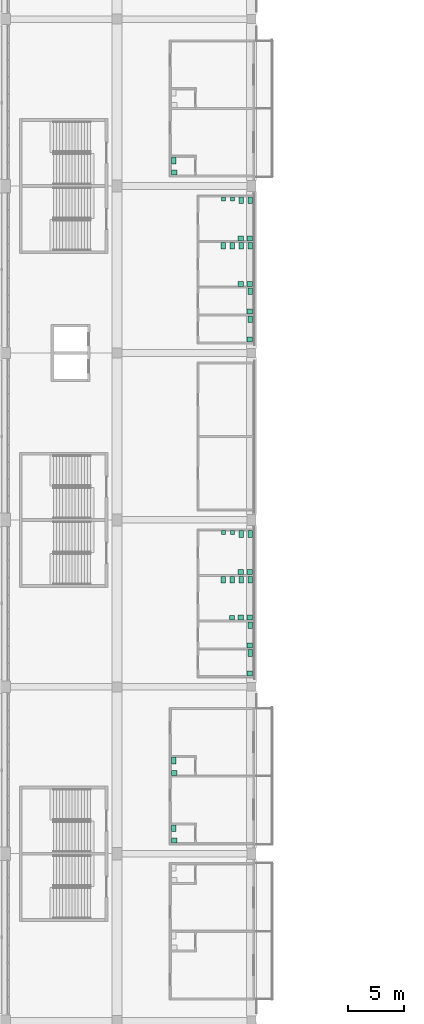
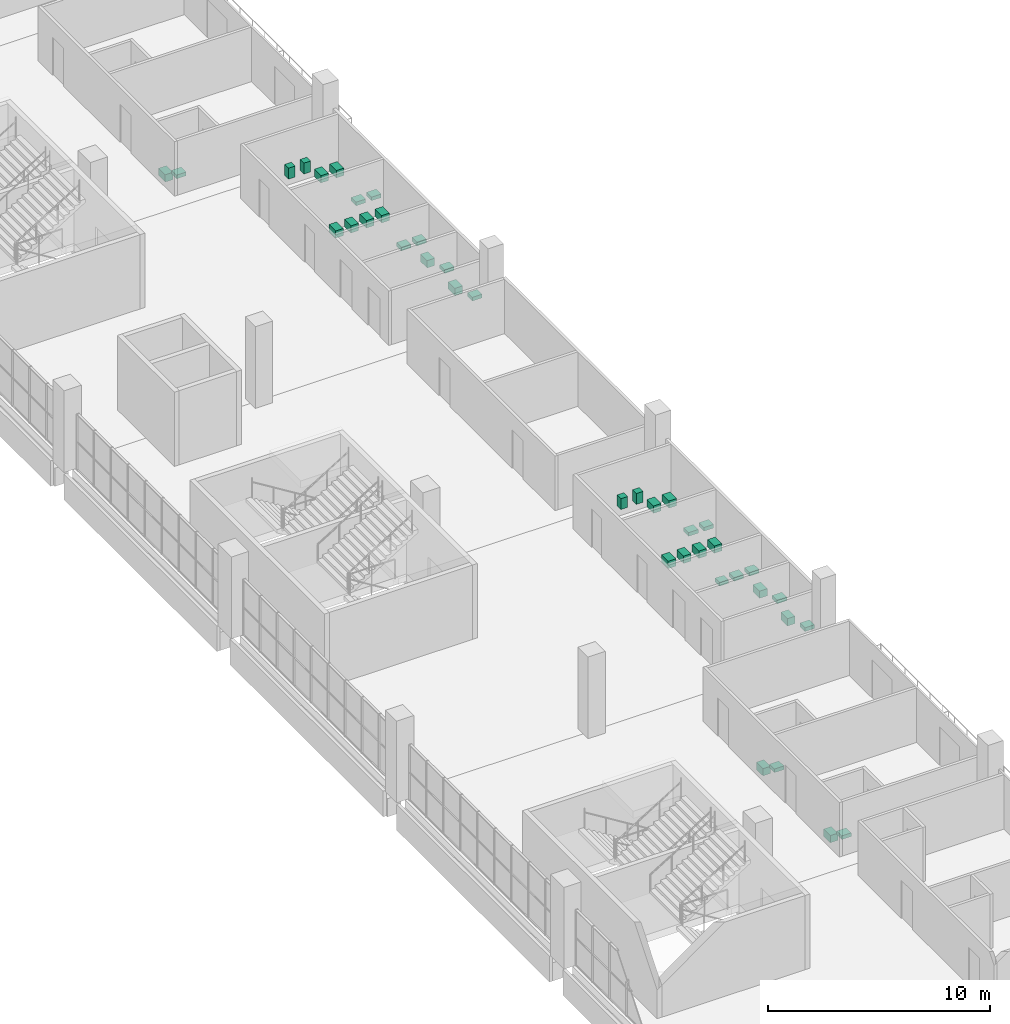
# One storey, part 196 of 199: 39 sanitary terminals.
"""IFC4 building model written with IfcOpenShell, lengths in metres."""

from ifc_helpers import new_model, si_unit, direction, frame, origin, origin_2d, place, context, subcontext, project, spatial, rectangle, extrude, material, type_object, element, save


model = new_model("IFC4")

# Units and contexts
model_context = context("Model", 3, precision=1e-05, world=origin(), true_north=direction((0.0, 1.0)))
body_context = subcontext(model_context, "Body", "Model", "MODEL_VIEW")
ifc_project = project(units=[si_unit("LENGTHUNIT", "METRE"), si_unit("AREAUNIT", "SQUARE_METRE"), si_unit("VOLUMEUNIT", "CUBIC_METRE"), si_unit("PLANEANGLEUNIT", "RADIAN"), si_unit("MASSUNIT", "GRAM", prefix="KILO")], contexts=[model_context])

# Site, building, storey
site_placement = place(None, origin())
site = spatial("IfcSite", under=ifc_project, at=site_placement, CompositionType="ELEMENT")
building_placement = place(site_placement, origin())
building = spatial("IfcBuilding", under=site, at=building_placement, Name="Ogive Plaza Stadium", CompositionType="ELEMENT")
storey_placement = place(building_placement, frame((0.0, 0.0, 9.0)))
storey = spatial("IfcBuildingStorey", under=building, at=storey_placement, Name="L02", CompositionType="ELEMENT", Elevation=9.0)

# Sanitary terminals
ifc_material_1 = material(Name="Vitreous china", Category="ceramic")
sanitary_terminal_type_1 = type_object("IfcSanitaryTerminalType", Name="Drinking fountain", PredefinedType="SANITARYFOUNTAIN", material=ifc_material_1)
sanitary_terminal_placement = place(storey_placement, frame((-63.64990234375, -16.30908203125, 0.7998046875), z_axis=(0.0, 0.0, 1.0), x_axis=(-1.0, 0.0, 0.0)))
element("IfcSanitaryTerminal", 1, at=sanitary_terminal_placement, inside=storey, type_object=sanitary_terminal_type_1, Name="Drinking fountain L02-088", PredefinedType="SANITARYFOUNTAIN", context=body_context, shape_type="SweptSolid", body=[
    extrude(rectangle(XDim=0.449951171875, YDim=0.39990234375, at=origin_2d()), origin(), (0.0, 0.0, 1.0), 0.199951171875),
])
ifc_material_2 = material(Name="Vitreous china", Category="ceramic")
sanitary_terminal_type_2 = type_object("IfcSanitaryTerminalType", Name="Lavatory", PredefinedType="WASHHANDBASIN", material=ifc_material_2)
for number, where, z_axis, x_axis, name in (
    (2, (-62.074951171875, -12.19189453125, 0.7998046875), (0.0, 0.0, 1.0), (-1.0, 0.0, 0.0), "Lavatory L02-087"),
    (3, (-62.875, -12.19189453125, 0.7998046875), (0.0, 0.0, 1.0), (-1.0, 0.0, 0.0), "Lavatory L02-087"),
    (4, (-62.074951171875, 17.80810546875, 0.7998046875), (0.0, 0.0, 1.0), (-1.0, 0.0, 0.0), "Lavatory L02-093"),
    (5, (-62.875, 17.80810546875, 0.7998046875), (0.0, 0.0, 1.0), (-1.0, 0.0, 0.0), "Lavatory L02-093"),
    (6, (-62.074951171875, -16.283935546875, 0.7998046875), (0.0, 0.0, 1.0), (-1.0, 0.0, 0.0), "Lavatory L02-088"),
    (7, (-62.875, -16.283935546875, 0.7998046875), (0.0, 0.0, 1.0), (-1.0, 0.0, 0.0), "Lavatory L02-088"),
    (8, (-62.074951171875, 13.716064453125, 0.7998046875), (0.0, 0.0, 1.0), (-1.0, 0.0, 0.0), "Lavatory L02-094"),
    (9, (-62.875, 13.716064453125, 0.7998046875), (0.0, 0.0, 1.0), (-1.0, 0.0, 0.0), "Lavatory L02-094"),
    (10, (-68.824951171875, -36.300048828125, 0.7998046875), (0.0, 0.0, 1.0), (1.0, 0.0, 0.0), "Lavatory L02-083"),
    (11, (-68.824951171875, -30.22509765625, 0.7998046875), (0.0, 0.0, 1.0), (1.0, 0.0, 0.0), "Lavatory L02-085"),
    (12, (-62.074951171875, -18.7919921875, 0.7998046875), (0.0, 0.0, 1.0), (-1.0, 0.0, 0.0), "Lavatory L02-089"),
    (13, (-62.074951171875, -21.300048828125, 0.7998046875), (0.0, 0.0, 1.0), (-1.0, 0.0, 0.0), "Lavatory L02-090"),
    (14, (-62.074951171875, 11.2080078125, 0.7998046875), (0.0, 0.0, 1.0), (-1.0, 0.0, 0.0), "Lavatory L02-095"),
    (15, (-62.074951171875, 8.699951171875, 0.7998046875), (0.0, 0.0, 1.0), (-1.0, 0.0, 0.0), "Lavatory L02-096"),
    (16, (-68.824951171875, 23.699951171875, 0.7998046875), (0.0, 0.0, 1.0), (1.0, 0.0, 0.0), "Lavatory L02-099"),
):
    element("IfcSanitaryTerminal", number, at=place(storey_placement, frame(where, z_axis=z_axis, x_axis=x_axis)), inside=storey, type_object=sanitary_terminal_type_2, Name=name, PredefinedType="WASHHANDBASIN", context=body_context, shape_type="SweptSolid", body=[
        extrude(rectangle(XDim=0.5, YDim=0.449951171875, at=origin_2d()), origin(), (0.0, 0.0, 1.0), 0.199951171875),
    ])
ifc_material_3 = material(Name="Vitreous china", Category="ceramic")
sanitary_terminal_type_3 = type_object("IfcSanitaryTerminalType", Name="Urinal", PredefinedType="URINAL", material=ifc_material_3)
for number, where, z_axis, x_axis, name in (
    (17, (-63.60009765625, -8.64990234375, 0.599853515625), (0.0, 0.0, 1.0), (-1.0, 0.0, 0.0), "Urinal L02-087"),
    (18, (-64.39990234375, -8.64990234375, 0.599853515625), (0.0, 0.0, 1.0), (-1.0, 0.0, 0.0), "Urinal L02-087"),
    (19, (-63.60009765625, 21.35009765625, 0.599853515625), (0.0, 0.0, 1.0), (-1.0, 0.0, 0.0), "Urinal L02-093"),
    (20, (-64.39990234375, 21.35009765625, 0.599853515625), (0.0, 0.0, 1.0), (-1.0, 0.0, 0.0), "Urinal L02-093"),
):
    element("IfcSanitaryTerminal", number, at=place(storey_placement, frame(where, z_axis=z_axis, x_axis=x_axis)), inside=storey, type_object=sanitary_terminal_type_3, Name=name, PredefinedType="URINAL", context=body_context, shape_type="SweptSolid", body=[
        extrude(rectangle(XDim=0.35009765625, YDim=0.35009765625, at=origin_2d()), origin(), (0.0, 0.0, 1.0), 0.60009765625),
    ])
ifc_material_4 = material(Name="Vitreous china", Category="ceramic")
sanitary_terminal_type_4 = type_object("IfcSanitaryTerminalType", Name="Water closet", PredefinedType="TOILETPAN", material=ifc_material_4)
for number, where, z_axis, x_axis, name in (
    (21, (-62.02490234375, -8.77490234375, 0.0), (0.0, 0.0, 1.0), (-1.0, 0.0, 0.0), "Water closet L02-087"),
    (22, (-62.824951171875, -8.77490234375, 0.0), (0.0, 0.0, 1.0), (-1.0, 0.0, 0.0), "Water closet L02-087"),
    (23, (-62.02490234375, 21.22509765625, 0.0), (0.0, 0.0, 1.0), (-1.0, 0.0, 0.0), "Water closet L02-093"),
    (24, (-62.824951171875, 21.22509765625, 0.0), (0.0, 0.0, 1.0), (-1.0, 0.0, 0.0), "Water closet L02-093"),
    (25, (-62.02490234375, -12.866943359375, 0.0), (0.0, 0.0, 1.0), (-1.0, 0.0, 0.0), "Water closet L02-088"),
    (26, (-62.824951171875, -12.866943359375, 0.0), (0.0, 0.0, 1.0), (-1.0, 0.0, 0.0), "Water closet L02-088"),
    (27, (-63.625, -12.866943359375, 0.0), (0.0, 0.0, 1.0), (-1.0, 0.0, 0.0), "Water closet L02-088"),
    (28, (-64.425048828125, -12.866943359375, 0.0), (0.0, 0.0, 1.0), (-1.0, 0.0, 0.0), "Water closet L02-088"),
    (29, (-62.02490234375, 17.133056640625, 0.0), (0.0, 0.0, 1.0), (-1.0, 0.0, 0.0), "Water closet L02-094"),
    (30, (-62.824951171875, 17.133056640625, 0.0), (0.0, 0.0, 1.0), (-1.0, 0.0, 0.0), "Water closet L02-094"),
    (31, (-63.625, 17.133056640625, 0.0), (0.0, 0.0, 1.0), (-1.0, 0.0, 0.0), "Water closet L02-094"),
    (32, (-64.425048828125, 17.133056640625, 0.0), (0.0, 0.0, 1.0), (-1.0, 0.0, 0.0), "Water closet L02-094"),
    (33, (-68.875, -35.199951171875, 0.0), (0.0, 0.0, 1.0), (1.0, 0.0, 0.0), "Water closet L02-083"),
    (34, (-68.875, -29.125, 0.0), (0.0, 0.0, 1.0), (1.0, 0.0, 0.0), "Water closet L02-085"),
    (35, (-62.02490234375, -16.958984375, 0.0), (0.0, 0.0, 1.0), (-1.0, 0.0, 0.0), "Water closet L02-089"),
    (36, (-62.02490234375, -19.467041015625, 0.0), (0.0, 0.0, 1.0), (-1.0, 0.0, 0.0), "Water closet L02-090"),
    (37, (-62.02490234375, 13.041015625, 0.0), (0.0, 0.0, 1.0), (-1.0, 0.0, 0.0), "Water closet L02-095"),
    (38, (-62.02490234375, 10.532958984375, 0.0), (0.0, 0.0, 1.0), (-1.0, 0.0, 0.0), "Water closet L02-096"),
    (39, (-68.875, 24.800048828125, 0.0), (0.0, 0.0, 1.0), (1.0, 0.0, 0.0), "Water closet L02-099"),
):
    element("IfcSanitaryTerminal", number, at=place(storey_placement, frame(where, z_axis=z_axis, x_axis=x_axis)), inside=storey, type_object=sanitary_terminal_type_4, Name=name, PredefinedType="TOILETPAN", context=body_context, shape_type="SweptSolid", body=[
        extrude(rectangle(XDim=0.39990234375, YDim=0.60009765625, at=origin_2d()), origin(), (0.0, 0.0, 1.0), 0.39990234375),
    ])

save(model, "model.ifc")
